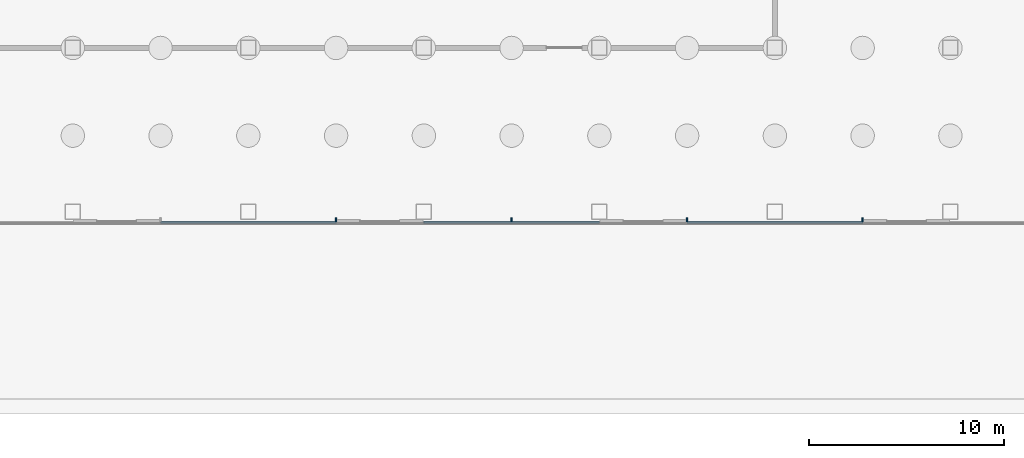
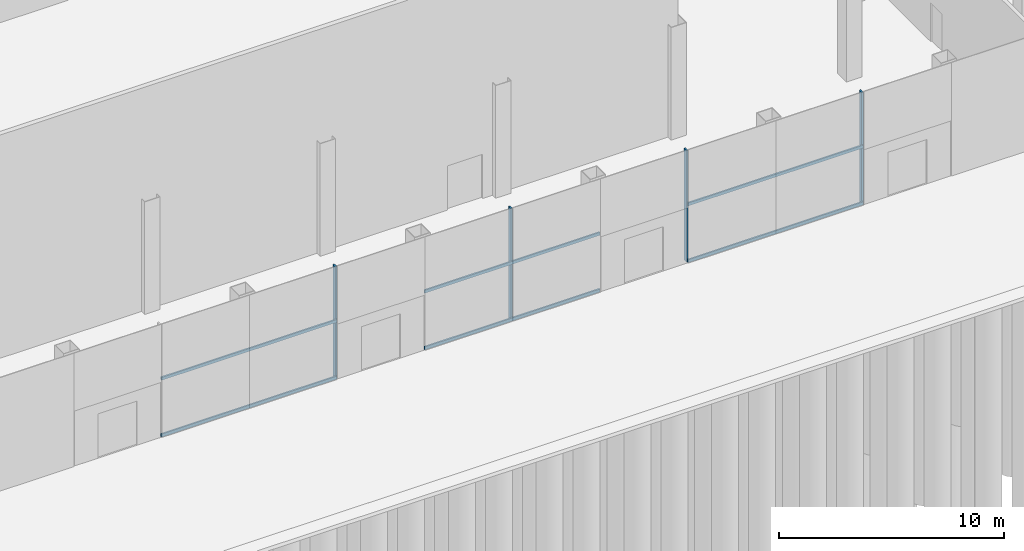
# One storey, part 10 of 37: 10 members, 1 element without a shape of its own.
"""IFC4 building model written with IfcOpenShell, lengths in metres."""

from ifc_helpers import new_model, si_unit, direction, frame, origin, origin_2d, place, context, subcontext, project, spatial, rectangle, extrude, material, layer, layer_set, material_profile, profile_set, type_object, element, aggregate, save


model = new_model("IFC4")

# Units and contexts
model_context = context("Model", 3, precision=1e-05, world=origin(), true_north=direction((0.0, 1.0)))
body_context = subcontext(model_context, "Body", "Model", "MODEL_VIEW")
ifc_project = project(units=[si_unit("LENGTHUNIT", "METRE"), si_unit("AREAUNIT", "SQUARE_METRE"), si_unit("VOLUMEUNIT", "CUBIC_METRE"), si_unit("PLANEANGLEUNIT", "RADIAN"), si_unit("MASSUNIT", "GRAM", prefix="KILO")], contexts=[model_context])

# Site, building, storey
site_placement = place(None, origin())
site = spatial("IfcSite", under=ifc_project, at=site_placement, CompositionType="ELEMENT")
building_placement = place(site_placement, origin())
building = spatial("IfcBuilding", under=site, at=building_placement, Name="Shamsa Quay Exchange Towers", CompositionType="ELEMENT")
storey_placement = place(building_placement, origin())
storey = spatial("IfcBuildingStorey", under=building, at=storey_placement, Name="L00", CompositionType="ELEMENT", Elevation=0.0)

# Curtain wall, members
ifc_material = material(Name="Aluminium EN AW-6063 T6, black anodised", Category="aluminium")
ifc_layer = layer(ifc_material, 0.33203125)
ifc_layer_set = layer_set([ifc_layer], Name="CW-3 PODIUM SHOPFRONT GLAZING")
curtain_wall_type = type_object("IfcCurtainWallType", Name="CW-3 PODIUM SHOPFRONT GLAZING", PredefinedType="NOTDEFINED", material=ifc_layer_set)
curtain_wall_placement = place(storey_placement, origin())
curtain_wall = element("IfcCurtainWall", 1, at=curtain_wall_placement, inside=storey, type_object=curtain_wall_type, Name="CW3 PODIUM-L00-F03", PredefinedType="NOTDEFINED")
ifc_material_profile_1 = material_profile(ifc_material, rectangle(XDim=0.219970703125, YDim=0.080078125, at=origin_2d()), Name="MU80x220")
ifc_profile_set_1 = profile_set([ifc_material_profile_1], Name="Aluminium EN AW-6063 T6, black anodised")
member_type_1 = type_object("IfcMemberType", Name="CW3 MULLION 80x220", PredefinedType="MULLION", material=ifc_profile_set_1)
member_1_placement = place(storey_placement, frame((4.5, -38.06005859375, 0.0), z_axis=(0.0, 0.0, 1.0), x_axis=(0.0, 1.0, 0.0)))
member_1 = element("IfcMember", 2, at=member_1_placement, type_object=member_type_1, Name="CW3 mullion", PredefinedType="MULLION", context=body_context, shape_type="SweptSolid", body=[
    extrude(rectangle(XDim=0.219970703125, YDim=0.080078125, at=origin_2d()), origin(), (0.0, 0.0, 1.0), 6.050048828125),
])
member_2_placement = place(storey_placement, frame((13.5, -38.06005859375, 0.0), z_axis=(0.0, 0.0, 1.0), x_axis=(0.0, 1.0, 0.0)))
member_2 = element("IfcMember", 3, at=member_2_placement, type_object=member_type_1, Name="CW3 mullion", PredefinedType="MULLION", context=body_context, shape_type="SweptSolid", body=[
    extrude(rectangle(XDim=0.219970703125, YDim=0.080078125, at=origin_2d()), origin(), (0.0, 0.0, 1.0), 6.050048828125),
])
member_3_placement = place(storey_placement, frame((22.5, -38.06005859375, 0.0), z_axis=(0.0, 0.0, 1.0), x_axis=(0.0, 1.0, 0.0)))
member_3 = element("IfcMember", 4, at=member_3_placement, type_object=member_type_1, Name="CW3 mullion", PredefinedType="MULLION", context=body_context, shape_type="SweptSolid", body=[
    extrude(rectangle(XDim=0.219970703125, YDim=0.080078125, at=origin_2d()), origin(), (0.0, 0.0, 1.0), 6.050048828125),
])
member_4_placement = place(storey_placement, frame((31.5, -38.06005859375, 0.0), z_axis=(0.0, 0.0, 1.0), x_axis=(0.0, 1.0, 0.0)))
member_4 = element("IfcMember", 5, at=member_4_placement, type_object=member_type_1, Name="CW3 mullion", PredefinedType="MULLION", context=body_context, shape_type="SweptSolid", body=[
    extrude(rectangle(XDim=0.219970703125, YDim=0.080078125, at=origin_2d()), origin(), (0.0, 0.0, 1.0), 6.050048828125),
])
ifc_material_profile_2 = material_profile(ifc_material, rectangle(XDim=0.080078125, YDim=0.159912109375, at=origin_2d()), Name="TR160x80")
ifc_profile_set_2 = profile_set([ifc_material_profile_2], Name="Aluminium EN AW-6063 T6, black anodised")
member_type_2 = type_object("IfcMemberType", Name="CW3 TRANSOM 160x80", PredefinedType="USERDEFINED", material=ifc_profile_set_2)
member_5_placement = place(storey_placement, frame((-4.5, -38.2099609375, 0.080078125), z_axis=(1.0, 0.0, 0.0), x_axis=(0.0, 1.0, 0.0)))
member_5 = element("IfcMember", 6, at=member_5_placement, type_object=member_type_2, Name="CW3 transom", ObjectType="TRANSOM", PredefinedType="USERDEFINED", context=body_context, shape_type="SweptSolid", body=[
    extrude(rectangle(XDim=0.080078125, YDim=0.159912109375, at=origin_2d()), origin(), (0.0, 0.0, 1.0), 9.0),
])
member_6_placement = place(storey_placement, frame((-4.5, -38.2099609375, 3.155029296875), z_axis=(1.0, 0.0, 0.0), x_axis=(0.0, 1.0, 0.0)))
member_6 = element("IfcMember", 7, at=member_6_placement, type_object=member_type_2, Name="CW3 transom", ObjectType="TRANSOM", PredefinedType="USERDEFINED", context=body_context, shape_type="SweptSolid", body=[
    extrude(rectangle(XDim=0.080078125, YDim=0.159912109375, at=origin_2d()), origin(), (0.0, 0.0, 1.0), 9.0),
])
member_7_placement = place(storey_placement, frame((9.0, -38.2099609375, 0.080078125), z_axis=(1.0, 0.0, 0.0), x_axis=(0.0, 1.0, 0.0)))
member_7 = element("IfcMember", 8, at=member_7_placement, type_object=member_type_2, Name="CW3 transom", ObjectType="TRANSOM", PredefinedType="USERDEFINED", context=body_context, shape_type="SweptSolid", body=[
    extrude(rectangle(XDim=0.080078125, YDim=0.159912109375, at=origin_2d()), origin(), (0.0, 0.0, 1.0), 9.0),
])
member_8_placement = place(storey_placement, frame((9.0, -38.2099609375, 3.155029296875), z_axis=(1.0, 0.0, 0.0), x_axis=(0.0, 1.0, 0.0)))
member_8 = element("IfcMember", 9, at=member_8_placement, type_object=member_type_2, Name="CW3 transom", ObjectType="TRANSOM", PredefinedType="USERDEFINED", context=body_context, shape_type="SweptSolid", body=[
    extrude(rectangle(XDim=0.080078125, YDim=0.159912109375, at=origin_2d()), origin(), (0.0, 0.0, 1.0), 9.0),
])
member_9_placement = place(storey_placement, frame((22.5, -38.2099609375, 0.080078125), z_axis=(1.0, 0.0, 0.0), x_axis=(0.0, 1.0, 0.0)))
member_9 = element("IfcMember", 10, at=member_9_placement, type_object=member_type_2, Name="CW3 transom", ObjectType="TRANSOM", PredefinedType="USERDEFINED", context=body_context, shape_type="SweptSolid", body=[
    extrude(rectangle(XDim=0.080078125, YDim=0.159912109375, at=origin_2d()), origin(), (0.0, 0.0, 1.0), 9.0),
])
member_10_placement = place(storey_placement, frame((22.5, -38.2099609375, 3.155029296875), z_axis=(1.0, 0.0, 0.0), x_axis=(0.0, 1.0, 0.0)))
member_10 = element("IfcMember", 11, at=member_10_placement, type_object=member_type_2, Name="CW3 transom", ObjectType="TRANSOM", PredefinedType="USERDEFINED", context=body_context, shape_type="SweptSolid", body=[
    extrude(rectangle(XDim=0.080078125, YDim=0.159912109375, at=origin_2d()), origin(), (0.0, 0.0, 1.0), 9.0),
])
aggregate(curtain_wall, [member_5, member_6, member_7, member_8, member_9, member_10, member_1, member_2, member_3, member_4])

save(model, "model.ifc")
